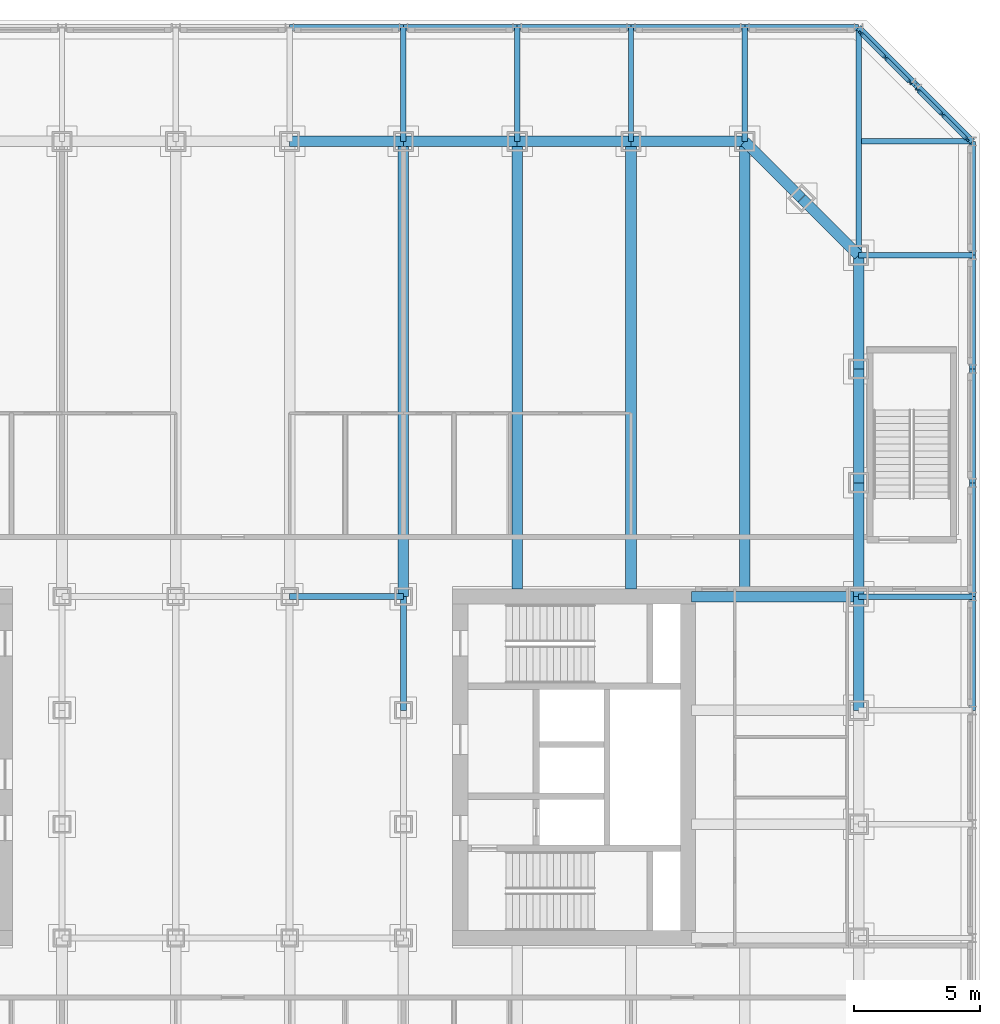
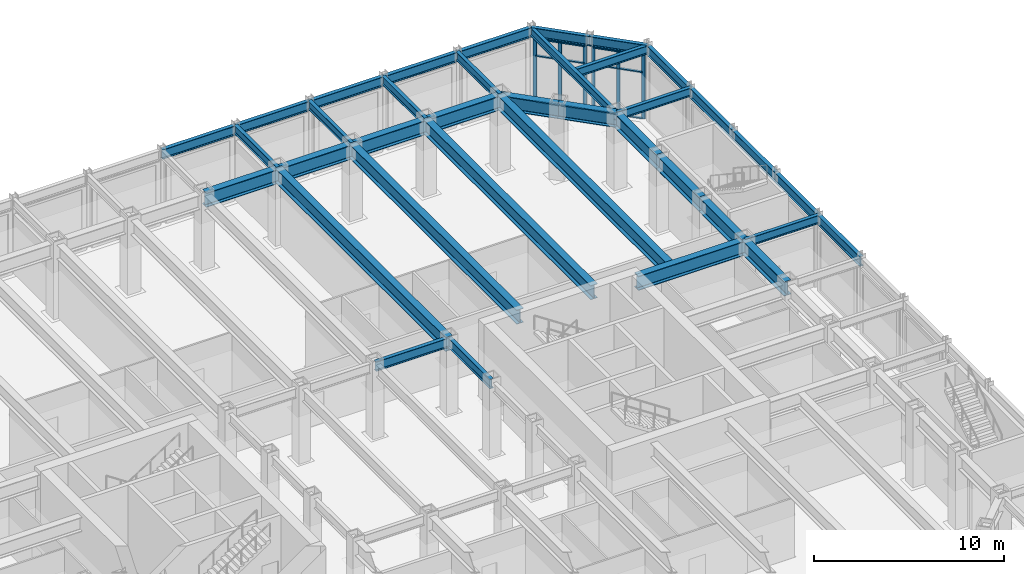
# One storey, part 8 of 19: 37 beams, 18 members, 2 elements without a shape of their own.
"""IFC4 building model written with IfcOpenShell, lengths in metres."""

from ifc_helpers import new_model, si_unit, direction, frame, origin, origin_2d, place, context, subcontext, project, spatial, rectangle, i_section, extrude, material, material_profile, profile_set, type_object, element, aggregate, save


model = new_model("IFC4")

# Units and contexts
model_context = context("Model", 3, precision=1e-05, world=origin(), true_north=direction((0.0, 1.0)))
body_context = subcontext(model_context, "Body", "Model", "MODEL_VIEW")
ifc_project = project(units=[si_unit("LENGTHUNIT", "METRE"), si_unit("AREAUNIT", "SQUARE_METRE"), si_unit("VOLUMEUNIT", "CUBIC_METRE"), si_unit("PLANEANGLEUNIT", "RADIAN"), si_unit("MASSUNIT", "GRAM", prefix="KILO")], contexts=[model_context])

# Site, building, storey
site_placement = place(None, origin())
site = spatial("IfcSite", under=ifc_project, at=site_placement, CompositionType="ELEMENT")
building_placement = place(site_placement, origin())
building = spatial("IfcBuilding", under=site, at=building_placement, Name="Msasa Ring Tower", CompositionType="ELEMENT")
storey_placement = place(building_placement, frame((0.0, 0.0, 6.0)))
storey = spatial("IfcBuildingStorey", under=building, at=storey_placement, Name="L01", CompositionType="ELEMENT", Elevation=6.0)

# Curtain wall, members
ifc_material_1 = material(Name="Aluminium curtain wall with clear glass", Category="aluminium")
curtain_wall_type = type_object("IfcCurtainWallType", Name="CW-K PODIUM CORNER CURTAIN WALL", PredefinedType="NOTDEFINED", material=ifc_material_1)
curtain_wall_1_placement = place(storey_placement, origin())
curtain_wall_1 = element("IfcCurtainWall", 1, at=curtain_wall_1_placement, inside=storey, type_object=curtain_wall_type, Name="Podium corner curtain wall NE L01", PredefinedType="NOTDEFINED")
ifc_material_2 = material(Name="Aluminium mullion", Category="aluminium")
ifc_material_profile_1 = material_profile(ifc_material_2, rectangle(XDim=0.070068359375, YDim=0.199951171875, at=origin_2d()), Name="AL 70x200")
ifc_profile_set_1 = profile_set([ifc_material_profile_1], Name="Aluminium mullion")
member_type_1 = type_object("IfcMemberType", Name="CW-K MULLION 70x200", PredefinedType="MULLION", material=ifc_profile_set_1)
member_1_placement = place(storey_placement, frame((26.77197265625, 27.086669921875, 0.0), z_axis=(0.0, 0.0, 1.0), x_axis=(-0.707106781187, -0.707106781187, 0.0)))
member_1 = element("IfcMember", 2, at=member_1_placement, type_object=member_type_1, Name="CW-K mullion 1", PredefinedType="MULLION", context=body_context, shape_type="SweptSolid", body=[
    extrude(rectangle(XDim=0.070068359375, YDim=0.199951171875, at=origin_2d()), origin(), (0.0, 0.0, 1.0), 4.1328125),
])
member_2_placement = place(storey_placement, frame((25.80419921875, 28.05419921875, 0.0), z_axis=(0.0, 0.0, 1.0), x_axis=(-0.707106781187, -0.707106781187, 0.0)))
member_2 = element("IfcMember", 3, at=member_2_placement, type_object=member_type_1, Name="CW-K mullion 2", PredefinedType="MULLION", context=body_context, shape_type="SweptSolid", body=[
    extrude(rectangle(XDim=0.070068359375, YDim=0.199951171875, at=origin_2d()), origin(), (0.0, 0.0, 1.0), 4.1328125),
])
member_3_placement = place(storey_placement, frame((24.836669921875, 29.02197265625, 0.0), z_axis=(0.0, 0.0, 1.0), x_axis=(-0.707106781187, -0.707106781187, 0.0)))
member_3 = element("IfcMember", 4, at=member_3_placement, type_object=member_type_1, Name="CW-K mullion 3", PredefinedType="MULLION", context=body_context, shape_type="SweptSolid", body=[
    extrude(rectangle(XDim=0.070068359375, YDim=0.199951171875, at=origin_2d()), origin(), (0.0, 0.0, 1.0), 4.1328125),
])

curtain_wall_2_placement = place(storey_placement, origin())
curtain_wall_2 = element("IfcCurtainWall", 5, at=curtain_wall_2_placement, inside=storey, type_object=curtain_wall_type, Name="Podium corner curtain wall NE L01", PredefinedType="NOTDEFINED")
member_4_placement = place(storey_placement, frame((29.02197265625, 24.836669921875, 0.0), z_axis=(0.0, 0.0, 1.0), x_axis=(-0.707106781187, -0.707106781187, 0.0)))
member_4 = element("IfcMember", 6, at=member_4_placement, type_object=member_type_1, Name="CW-K mullion 1", PredefinedType="MULLION", context=body_context, shape_type="SweptSolid", body=[
    extrude(rectangle(XDim=0.070068359375, YDim=0.199951171875, at=origin_2d()), origin(), (0.0, 0.0, 1.0), 4.1328125),
])
member_5_placement = place(storey_placement, frame((28.05419921875, 25.80419921875, 0.0), z_axis=(0.0, 0.0, 1.0), x_axis=(-0.707106781187, -0.707106781187, 0.0)))
member_5 = element("IfcMember", 7, at=member_5_placement, type_object=member_type_1, Name="CW-K mullion 2", PredefinedType="MULLION", context=body_context, shape_type="SweptSolid", body=[
    extrude(rectangle(XDim=0.070068359375, YDim=0.199951171875, at=origin_2d()), origin(), (0.0, 0.0, 1.0), 4.1328125),
])
member_6_placement = place(storey_placement, frame((27.086669921875, 26.77197265625, 0.0), z_axis=(0.0, 0.0, 1.0), x_axis=(-0.707106781187, -0.707106781187, 0.0)))
member_6 = element("IfcMember", 8, at=member_6_placement, type_object=member_type_1, Name="CW-K mullion 3", PredefinedType="MULLION", context=body_context, shape_type="SweptSolid", body=[
    extrude(rectangle(XDim=0.070068359375, YDim=0.199951171875, at=origin_2d()), origin(), (0.0, 0.0, 1.0), 4.1328125),
])

# Member
ifc_material_3 = material(Name="Aluminium transom", Category="aluminium")
ifc_material_profile_2 = material_profile(ifc_material_3, rectangle(XDim=0.14990234375, YDim=0.070068359375, at=origin_2d()), Name="AL 70x150")
ifc_profile_set_2 = profile_set([ifc_material_profile_2], Name="Aluminium transom")
member_type_2 = type_object("IfcMemberType", Name="CW-K TRANSOM 70x150", PredefinedType="USERDEFINED", material=ifc_profile_set_2)
member_7_placement = place(storey_placement, frame((26.7470703125, 27.111572265625, 0.034912109375), z_axis=(-0.707106781187, 0.707106781187, 0.0), x_axis=(-0.707106781187, -0.707106781187, 0.0)))
member_7 = element("IfcMember", 9, at=member_7_placement, type_object=member_type_2, Name="CW-K transom 1.1", ObjectType="TRANSOM", PredefinedType="USERDEFINED", context=body_context, shape_type="SweptSolid", body=[
    extrude(rectangle(XDim=0.14990234375, YDim=0.070068359375, at=origin_2d()), origin(), (0.0, 0.0, 1.0), 1.298095703125),
])

member_8_placement = place(storey_placement, frame((26.7470703125, 27.111572265625, 3.0), z_axis=(-0.707106781187, 0.707106781187, 0.0), x_axis=(-0.707106781187, -0.707106781187, 0.0)))
member_8 = element("IfcMember", 10, at=member_8_placement, type_object=member_type_2, Name="CW-K transom 1.2", ObjectType="TRANSOM", PredefinedType="USERDEFINED", context=body_context, shape_type="SweptSolid", body=[
    extrude(rectangle(XDim=0.14990234375, YDim=0.070068359375, at=origin_2d()), origin(), (0.0, 0.0, 1.0), 1.298095703125),
])

member_9_placement = place(storey_placement, frame((26.7470703125, 27.111572265625, 4.097900390625), z_axis=(-0.707106781187, 0.707106781187, 0.0), x_axis=(-0.707106781187, -0.707106781187, 0.0)))
member_9 = element("IfcMember", 11, at=member_9_placement, type_object=member_type_2, Name="CW-K transom 1.3", ObjectType="TRANSOM", PredefinedType="USERDEFINED", context=body_context, shape_type="SweptSolid", body=[
    extrude(rectangle(XDim=0.14990234375, YDim=0.070068359375, at=origin_2d()), origin(), (0.0, 0.0, 1.0), 1.298095703125),
])

member_10_placement = place(storey_placement, frame((25.779541015625, 28.0791015625, 0.034912109375), z_axis=(-0.707106781187, 0.707106781187, 0.0), x_axis=(-0.707106781187, -0.707106781187, 0.0)))
member_10 = element("IfcMember", 12, at=member_10_placement, type_object=member_type_2, Name="CW-K transom 2.1", ObjectType="TRANSOM", PredefinedType="USERDEFINED", context=body_context, shape_type="SweptSolid", body=[
    extrude(rectangle(XDim=0.14990234375, YDim=0.070068359375, at=origin_2d()), origin(), (0.0, 0.0, 1.0), 1.298095703125),
])

member_11_placement = place(storey_placement, frame((25.779541015625, 28.0791015625, 3.0), z_axis=(-0.707106781187, 0.707106781187, 0.0), x_axis=(-0.707106781187, -0.707106781187, 0.0)))
member_11 = element("IfcMember", 13, at=member_11_placement, type_object=member_type_2, Name="CW-K transom 2.2", ObjectType="TRANSOM", PredefinedType="USERDEFINED", context=body_context, shape_type="SweptSolid", body=[
    extrude(rectangle(XDim=0.14990234375, YDim=0.070068359375, at=origin_2d()), origin(), (0.0, 0.0, 1.0), 1.298095703125),
])

member_12_placement = place(storey_placement, frame((25.779541015625, 28.0791015625, 4.097900390625), z_axis=(-0.707106781187, 0.707106781187, 0.0), x_axis=(-0.707106781187, -0.707106781187, 0.0)))
member_12 = element("IfcMember", 14, at=member_12_placement, type_object=member_type_2, Name="CW-K transom 2.3", ObjectType="TRANSOM", PredefinedType="USERDEFINED", context=body_context, shape_type="SweptSolid", body=[
    extrude(rectangle(XDim=0.14990234375, YDim=0.070068359375, at=origin_2d()), origin(), (0.0, 0.0, 1.0), 1.298095703125),
])

aggregate(curtain_wall_1, [member_1, member_2, member_3, member_7, member_8, member_9, member_10, member_11, member_12])

member_13_placement = place(storey_placement, frame((28.9970703125, 24.861572265625, 0.034912109375), z_axis=(-0.707106781187, 0.707106781187, 0.0), x_axis=(-0.707106781187, -0.707106781187, 0.0)))
member_13 = element("IfcMember", 15, at=member_13_placement, type_object=member_type_2, Name="CW-K transom 1.1", ObjectType="TRANSOM", PredefinedType="USERDEFINED", context=body_context, shape_type="SweptSolid", body=[
    extrude(rectangle(XDim=0.14990234375, YDim=0.070068359375, at=origin_2d()), origin(), (0.0, 0.0, 1.0), 1.298095703125),
])

member_14_placement = place(storey_placement, frame((28.9970703125, 24.861572265625, 3.0), z_axis=(-0.707106781187, 0.707106781187, 0.0), x_axis=(-0.707106781187, -0.707106781187, 0.0)))
member_14 = element("IfcMember", 16, at=member_14_placement, type_object=member_type_2, Name="CW-K transom 1.2", ObjectType="TRANSOM", PredefinedType="USERDEFINED", context=body_context, shape_type="SweptSolid", body=[
    extrude(rectangle(XDim=0.14990234375, YDim=0.070068359375, at=origin_2d()), origin(), (0.0, 0.0, 1.0), 1.298095703125),
])

member_15_placement = place(storey_placement, frame((28.9970703125, 24.861572265625, 4.097900390625), z_axis=(-0.707106781187, 0.707106781187, 0.0), x_axis=(-0.707106781187, -0.707106781187, 0.0)))
member_15 = element("IfcMember", 17, at=member_15_placement, type_object=member_type_2, Name="CW-K transom 1.3", ObjectType="TRANSOM", PredefinedType="USERDEFINED", context=body_context, shape_type="SweptSolid", body=[
    extrude(rectangle(XDim=0.14990234375, YDim=0.070068359375, at=origin_2d()), origin(), (0.0, 0.0, 1.0), 1.298095703125),
])

member_16_placement = place(storey_placement, frame((28.029541015625, 25.8291015625, 0.034912109375), z_axis=(-0.707106781187, 0.707106781187, 0.0), x_axis=(-0.707106781187, -0.707106781187, 0.0)))
member_16 = element("IfcMember", 18, at=member_16_placement, type_object=member_type_2, Name="CW-K transom 2.1", ObjectType="TRANSOM", PredefinedType="USERDEFINED", context=body_context, shape_type="SweptSolid", body=[
    extrude(rectangle(XDim=0.14990234375, YDim=0.070068359375, at=origin_2d()), origin(), (0.0, 0.0, 1.0), 1.298095703125),
])

member_17_placement = place(storey_placement, frame((28.029541015625, 25.8291015625, 3.0), z_axis=(-0.707106781187, 0.707106781187, 0.0), x_axis=(-0.707106781187, -0.707106781187, 0.0)))
member_17 = element("IfcMember", 19, at=member_17_placement, type_object=member_type_2, Name="CW-K transom 2.2", ObjectType="TRANSOM", PredefinedType="USERDEFINED", context=body_context, shape_type="SweptSolid", body=[
    extrude(rectangle(XDim=0.14990234375, YDim=0.070068359375, at=origin_2d()), origin(), (0.0, 0.0, 1.0), 1.298095703125),
])

member_18_placement = place(storey_placement, frame((28.029541015625, 25.8291015625, 4.097900390625), z_axis=(-0.707106781187, 0.707106781187, 0.0), x_axis=(-0.707106781187, -0.707106781187, 0.0)))
member_18 = element("IfcMember", 20, at=member_18_placement, type_object=member_type_2, Name="CW-K transom 2.3", ObjectType="TRANSOM", PredefinedType="USERDEFINED", context=body_context, shape_type="SweptSolid", body=[
    extrude(rectangle(XDim=0.14990234375, YDim=0.070068359375, at=origin_2d()), origin(), (0.0, 0.0, 1.0), 1.298095703125),
])

aggregate(curtain_wall_2, [member_4, member_5, member_6, member_13, member_14, member_15, member_16, member_17, member_18])

# Beams
ifc_material_4 = material(Name="Steel S355", Category="steel")
ifc_material_profile_3 = material_profile(ifc_material_4, i_section(OverallWidth=0.41845703125, OverallDepth=0.911865234375, WebThickness=0.019287109375, FlangeThickness=0.031982421875, FilletRadius=0.024169921875, at=origin_2d()), Name="UB 914x419x343")
ifc_profile_set_3 = profile_set([ifc_material_profile_3], Name="Steel S355")
beam_type_1 = type_object("IfcBeamType", Name="FB1 UB 914x419x343", PredefinedType="BEAM", material=ifc_profile_set_3)
beam_1_placement = place(storey_placement, frame((6.75, 24.75, 4.294189453125), z_axis=(0.0, -1.0, 0.0), x_axis=(1.0, 0.0, 0.0)))
element("IfcBeam", 21, at=beam_1_placement, inside=storey, type_object=beam_type_1, Name="Floor beam N+6.75 under L02", PredefinedType="BEAM", context=body_context, shape_type="SweptSolid", body=[
    extrude(i_section(OverallWidth=0.41845703125, OverallDepth=0.911865234375, WebThickness=0.019287109375, FlangeThickness=0.031982421875, FilletRadius=0.024169921875, at=origin_2d()), origin(), (0.0, 0.0, 1.0), 18.0),
])
for number, where, z_axis, x_axis, name in (
    (22, (11.25, 24.75, 4.294189453125), (0.0, -1.0, 0.0), (1.0, 0.0, 0.0), "Floor beam N+11.25 under L02"),
    (23, (15.75, 24.75, 4.294189453125), (0.0, -1.0, 0.0), (1.0, 0.0, 0.0), "Floor beam N+15.75 under L02"),
):
    element("IfcBeam", number, at=place(storey_placement, frame(where, z_axis=z_axis, x_axis=x_axis)), inside=storey, type_object=beam_type_1, Name=name, PredefinedType="BEAM", context=body_context, shape_type="SweptSolid", body=[
        extrude(i_section(OverallWidth=0.41845703125, OverallDepth=0.911865234375, WebThickness=0.019287109375, FlangeThickness=0.031982421875, FilletRadius=0.024169921875, at=origin_2d()), origin(), (0.0, 0.0, 1.0), 17.699951171875),
    ])
beam_2_placement = place(storey_placement, frame((20.25, 24.75, 4.294189453125), z_axis=(0.0, -1.0, 0.0), x_axis=(1.0, 0.0, 0.0)))
element("IfcBeam", 24, at=beam_2_placement, inside=storey, type_object=beam_type_1, Name="Floor beam N+20.25 under L02", PredefinedType="BEAM", context=body_context, shape_type="SweptSolid", body=[
    extrude(i_section(OverallWidth=0.41845703125, OverallDepth=0.911865234375, WebThickness=0.019287109375, FlangeThickness=0.031982421875, FilletRadius=0.024169921875, at=origin_2d()), origin(), (0.0, 0.0, 1.0), 17.789794921875),
])
ifc_material_5 = material(Name="Steel S355", Category="steel")
ifc_material_profile_4 = material_profile(ifc_material_5, i_section(OverallWidth=0.42041015625, OverallDepth=0.9208984375, WebThickness=0.021484375, FlangeThickness=0.03662109375, FilletRadius=0.024169921875, at=origin_2d()), Name="UB 914x419x388")
ifc_profile_set_4 = profile_set([ifc_material_profile_4], Name="Steel S355")
beam_type_2 = type_object("IfcBeamType", Name="GB1 UB 914x419x388", PredefinedType="BEAM", material=ifc_profile_set_4)
beam_3_placement = place(storey_placement, frame((18.14990234375, 6.75, 4.28955078125), z_axis=(1.0, 0.0, 0.0), x_axis=(0.0, 1.0, 0.0)))
element("IfcBeam", 25, at=beam_3_placement, inside=storey, type_object=beam_type_2, Name="Girder E +6.75 under L02", PredefinedType="BEAM", context=body_context, shape_type="SweptSolid", body=[
    extrude(i_section(OverallWidth=0.42041015625, OverallDepth=0.9208984375, WebThickness=0.021484375, FlangeThickness=0.03662109375, FilletRadius=0.024169921875, at=origin_2d()), origin(), (0.0, 0.0, 1.0), 6.60009765625),
])
ifc_material_6 = material(Name="Steel S355", Category="steel")
ifc_material_profile_5 = material_profile(ifc_material_6, i_section(OverallWidth=0.2119140625, OverallDepth=0.54443359375, WebThickness=0.0126953125, FlangeThickness=0.021240234375, FilletRadius=0.0126953125, at=origin_2d()), Name="UB 533x210x122")
ifc_profile_set_5 = profile_set([ifc_material_profile_5], Name="Steel S355")
beam_type_3 = type_object("IfcBeamType", Name="PB1 UB 533x210x122", PredefinedType="BEAM", material=ifc_profile_set_5)
for number, where, z_axis, x_axis, name in (
    (26, (6.75, 29.25, 4.477783203125), (0.0, -1.0, 0.0), (1.0, 0.0, 0.0), "Podium beam N+6.75 under L02"),
    (27, (29.25, 6.75, 4.477783203125), (-1.0, 0.0, 0.0), (0.0, -1.0, 0.0), "Podium beam E+6.75 under L02"),
    (28, (11.25, 29.25, 4.477783203125), (0.0, -1.0, 0.0), (1.0, 0.0, 0.0), "Podium beam N+11.25 under L02"),
    (29, (15.75, 29.25, 4.477783203125), (0.0, -1.0, 0.0), (1.0, 0.0, 0.0), "Podium beam N+15.75 under L02"),
    (30, (20.25, 29.25, 4.477783203125), (0.0, -1.0, 0.0), (1.0, 0.0, 0.0), "Podium beam N+20.25 under L02"),
    (31, (29.25, 20.25, 4.477783203125), (-1.0, 0.0, 0.0), (0.0, -1.0, 0.0), "Podium beam E+20.25 under L02"),
):
    element("IfcBeam", number, at=place(storey_placement, frame(where, z_axis=z_axis, x_axis=x_axis)), inside=storey, type_object=beam_type_3, Name=name, PredefinedType="BEAM", context=body_context, shape_type="SweptSolid", body=[
        extrude(i_section(OverallWidth=0.2119140625, OverallDepth=0.54443359375, WebThickness=0.0126953125, FlangeThickness=0.021240234375, FilletRadius=0.0126953125, at=origin_2d()), origin(), (0.0, 0.0, 1.0), 4.5),
    ])
beam_4_placement = place(storey_placement, frame((24.75, 29.25, 4.477783203125), z_axis=(0.0, -1.0, 0.0), x_axis=(1.0, 0.0, 0.0)))
element("IfcBeam", 32, at=beam_4_placement, inside=storey, type_object=beam_type_3, Name="Podium beam N+24.75 under L02", PredefinedType="BEAM", context=body_context, shape_type="SweptSolid", body=[
    extrude(i_section(OverallWidth=0.2119140625, OverallDepth=0.54443359375, WebThickness=0.0126953125, FlangeThickness=0.021240234375, FilletRadius=0.0126953125, at=origin_2d()), origin(), (0.0, 0.0, 1.0), 9.0),
])
beam_5_placement = place(storey_placement, frame((29.25, 24.75, 4.477783203125), z_axis=(-1.0, 0.0, 0.0), x_axis=(0.0, -1.0, 0.0)))
element("IfcBeam", 33, at=beam_5_placement, inside=storey, type_object=beam_type_3, Name="Podium beam E+24.75 under L02", PredefinedType="BEAM", context=body_context, shape_type="SweptSolid", body=[
    extrude(i_section(OverallWidth=0.2119140625, OverallDepth=0.54443359375, WebThickness=0.0126953125, FlangeThickness=0.021240234375, FilletRadius=0.0126953125, at=origin_2d()), origin(), (0.0, 0.0, 1.0), 4.39404296875),
])
ifc_material_7 = material(Name="Steel S355", Category="steel")
ifc_material_profile_6 = material_profile(ifc_material_7, i_section(OverallWidth=0.230224609375, OverallDepth=0.6171875, WebThickness=0.01318359375, FlangeThickness=0.022216796875, FilletRadius=0.0126953125, at=origin_2d()), Name="UB 610x229x140")
ifc_profile_set_6 = profile_set([ifc_material_profile_6], Name="Steel S355")
beam_type_4 = type_object("IfcBeamType", Name="RB1 UB 610x229x140", PredefinedType="BEAM", material=ifc_profile_set_6)
for number, where, z_axis, x_axis, name in (
    (34, (6.75, 2.25, 4.44140625), (0.0, 1.0, 0.0), (-1.0, 0.0, 0.0), "Inner ring beam IR+6.75+2.25 under L02"),
    (35, (6.75, 6.75, 4.44140625), (-1.0, 0.0, 0.0), (0.0, -1.0, 0.0), "Inner ring beam IR+6.75+6.75 under L02"),
):
    element("IfcBeam", number, at=place(storey_placement, frame(where, z_axis=z_axis, x_axis=x_axis)), inside=storey, type_object=beam_type_4, Name=name, PredefinedType="BEAM", context=body_context, shape_type="SweptSolid", body=[
        extrude(i_section(OverallWidth=0.230224609375, OverallDepth=0.6171875, WebThickness=0.01318359375, FlangeThickness=0.022216796875, FilletRadius=0.0126953125, at=origin_2d()), origin(), (0.0, 0.0, 1.0), 4.5),
    ])
ifc_material_8 = material(Name="Steel S355", Category="steel")
ifc_material_profile_7 = material_profile(ifc_material_8, i_section(OverallWidth=0.42041015625, OverallDepth=0.9208984375, WebThickness=0.021484375, FlangeThickness=0.03662109375, FilletRadius=0.024169921875, at=origin_2d()), Name="UB 914x419x388")
ifc_profile_set_7 = profile_set([ifc_material_profile_7], Name="Steel S355")
beam_type_5 = type_object("IfcBeamType", Name="SB1 UB 914x419x388", PredefinedType="SPANDREL", material=ifc_profile_set_7)
for number, where, z_axis, x_axis, name in (
    (36, (24.75, 2.25, 4.28955078125), (0.0, 1.0, 0.0), (-1.0, 0.0, 0.0), "Spandrel E+2.25 to E+6.75 under L02"),
    (37, (24.75, 6.75, 4.28955078125), (0.0, 1.0, 0.0), (-1.0, 0.0, 0.0), "Spandrel E+6.75 to E+11.25 under L02"),
    (38, (24.75, 11.25, 4.28955078125), (0.0, 1.0, 0.0), (-1.0, 0.0, 0.0), "Spandrel E+11.25 to E+15.75 under L02"),
    (39, (24.75, 15.75, 4.28955078125), (0.0, 1.0, 0.0), (-1.0, 0.0, 0.0), "Spandrel E+15.75 to E+20.25 under L02"),
):
    element("IfcBeam", number, at=place(storey_placement, frame(where, z_axis=z_axis, x_axis=x_axis)), inside=storey, type_object=beam_type_5, Name=name, PredefinedType="SPANDREL", context=body_context, shape_type="SweptSolid", body=[
        extrude(i_section(OverallWidth=0.42041015625, OverallDepth=0.9208984375, WebThickness=0.021484375, FlangeThickness=0.03662109375, FilletRadius=0.024169921875, at=origin_2d()), origin(), (0.0, 0.0, 1.0), 4.5),
    ])
for number, where, z_axis, x_axis, name in (
    (40, (24.75, 20.25, 4.28955078125), (-0.707106781187, 0.707106781187, 0.0), (-0.707106781187, -0.707106781187, 0.0), "Spandrel E+20.25 to NE under L02"),
    (41, (22.5, 22.5, 4.28955078125), (-0.707106781187, 0.707106781187, 0.0), (-0.707106781187, -0.707106781187, 0.0), "Spandrel NE to N+20.25 under L02"),
):
    element("IfcBeam", number, at=place(storey_placement, frame(where, z_axis=z_axis, x_axis=x_axis)), inside=storey, type_object=beam_type_5, Name=name, PredefinedType="SPANDREL", context=body_context, shape_type="SweptSolid", body=[
        extrude(i_section(OverallWidth=0.42041015625, OverallDepth=0.9208984375, WebThickness=0.021484375, FlangeThickness=0.03662109375, FilletRadius=0.024169921875, at=origin_2d()), origin(), (0.0, 0.0, 1.0), 3.181884765625),
    ])
for number, where, z_axis, x_axis, name in (
    (42, (20.25, 24.75, 4.28955078125), (-1.0, 0.0, 0.0), (0.0, -1.0, 0.0), "Spandrel N+20.25 to N+15.75 under L02"),
    (43, (15.75, 24.75, 4.28955078125), (-1.0, 0.0, 0.0), (0.0, -1.0, 0.0), "Spandrel N+15.75 to N+11.25 under L02"),
    (44, (11.25, 24.75, 4.28955078125), (-1.0, 0.0, 0.0), (0.0, -1.0, 0.0), "Spandrel N+11.25 to N+6.75 under L02"),
    (45, (6.75, 24.75, 4.28955078125), (-1.0, 0.0, 0.0), (0.0, -1.0, 0.0), "Spandrel N+6.75 to N+2.25 under L02"),
):
    element("IfcBeam", number, at=place(storey_placement, frame(where, z_axis=z_axis, x_axis=x_axis)), inside=storey, type_object=beam_type_5, Name=name, PredefinedType="SPANDREL", context=body_context, shape_type="SweptSolid", body=[
        extrude(i_section(OverallWidth=0.42041015625, OverallDepth=0.9208984375, WebThickness=0.021484375, FlangeThickness=0.03662109375, FilletRadius=0.024169921875, at=origin_2d()), origin(), (0.0, 0.0, 1.0), 4.5),
    ])
ifc_material_9 = material(Name="Steel S355", Category="steel")
ifc_material_profile_8 = material_profile(ifc_material_9, i_section(OverallWidth=0.230224609375, OverallDepth=0.6171875, WebThickness=0.01318359375, FlangeThickness=0.022216796875, FilletRadius=0.0126953125, at=origin_2d()), Name="UB 610x229x140")
ifc_profile_set_8 = profile_set([ifc_material_profile_8], Name="Steel S355")
beam_type_6 = type_object("IfcBeamType", Name="SB2 UB 610x229x140", PredefinedType="SPANDREL", material=ifc_profile_set_8)
for number, where, z_axis, x_axis, name in (
    (46, (29.25, 2.25, 4.44140625), (0.0, 1.0, 0.0), (-1.0, 0.0, 0.0), "Podium spandrel E+2.25 under L02"),
    (47, (29.25, 6.75, 4.44140625), (0.0, 1.0, 0.0), (-1.0, 0.0, 0.0), "Podium spandrel E+6.75 under L02"),
    (48, (29.25, 11.25, 4.44140625), (0.0, 1.0, 0.0), (-1.0, 0.0, 0.0), "Podium spandrel E+11.25 under L02"),
    (49, (29.25, 15.75, 4.44140625), (0.0, 1.0, 0.0), (-1.0, 0.0, 0.0), "Podium spandrel E+15.75 under L02"),
    (50, (29.25, 20.25, 4.44140625), (0.0, 1.0, 0.0), (-1.0, 0.0, 0.0), "Podium spandrel E+20.25 under L02"),
):
    element("IfcBeam", number, at=place(storey_placement, frame(where, z_axis=z_axis, x_axis=x_axis)), inside=storey, type_object=beam_type_6, Name=name, PredefinedType="SPANDREL", context=body_context, shape_type="SweptSolid", body=[
        extrude(i_section(OverallWidth=0.230224609375, OverallDepth=0.6171875, WebThickness=0.01318359375, FlangeThickness=0.022216796875, FilletRadius=0.0126953125, at=origin_2d()), origin(), (0.0, 0.0, 1.0), 4.5),
    ])
for number, where, z_axis, x_axis, name in (
    (51, (29.25, 24.75, 4.44140625), (-0.707106781187, 0.707106781187, 0.0), (-0.707106781187, -0.707106781187, 0.0), "Podium spandrel E+24.75 under L02"),
    (52, (27.0, 27.0, 4.44140625), (-0.707106781187, 0.707106781187, 0.0), (-0.707106781187, -0.707106781187, 0.0), "Podium spandrel NE under L02"),
):
    element("IfcBeam", number, at=place(storey_placement, frame(where, z_axis=z_axis, x_axis=x_axis)), inside=storey, type_object=beam_type_6, Name=name, PredefinedType="SPANDREL", context=body_context, shape_type="SweptSolid", body=[
        extrude(i_section(OverallWidth=0.230224609375, OverallDepth=0.6171875, WebThickness=0.01318359375, FlangeThickness=0.022216796875, FilletRadius=0.0126953125, at=origin_2d()), origin(), (0.0, 0.0, 1.0), 3.181884765625),
    ])
for number, where, z_axis, x_axis, name in (
    (53, (24.75, 29.25, 4.44140625), (-1.0, 0.0, 0.0), (0.0, -1.0, 0.0), "Podium spandrel N+24.75 under L02"),
    (54, (20.25, 29.25, 4.44140625), (-1.0, 0.0, 0.0), (0.0, -1.0, 0.0), "Podium spandrel N+20.25 under L02"),
    (55, (15.75, 29.25, 4.44140625), (-1.0, 0.0, 0.0), (0.0, -1.0, 0.0), "Podium spandrel N+15.75 under L02"),
    (56, (11.25, 29.25, 4.44140625), (-1.0, 0.0, 0.0), (0.0, -1.0, 0.0), "Podium spandrel N+11.25 under L02"),
    (57, (6.75, 29.25, 4.44140625), (-1.0, 0.0, 0.0), (0.0, -1.0, 0.0), "Podium spandrel N+6.75 under L02"),
):
    element("IfcBeam", number, at=place(storey_placement, frame(where, z_axis=z_axis, x_axis=x_axis)), inside=storey, type_object=beam_type_6, Name=name, PredefinedType="SPANDREL", context=body_context, shape_type="SweptSolid", body=[
        extrude(i_section(OverallWidth=0.230224609375, OverallDepth=0.6171875, WebThickness=0.01318359375, FlangeThickness=0.022216796875, FilletRadius=0.0126953125, at=origin_2d()), origin(), (0.0, 0.0, 1.0), 4.5),
    ])

save(model, "model.ifc")
